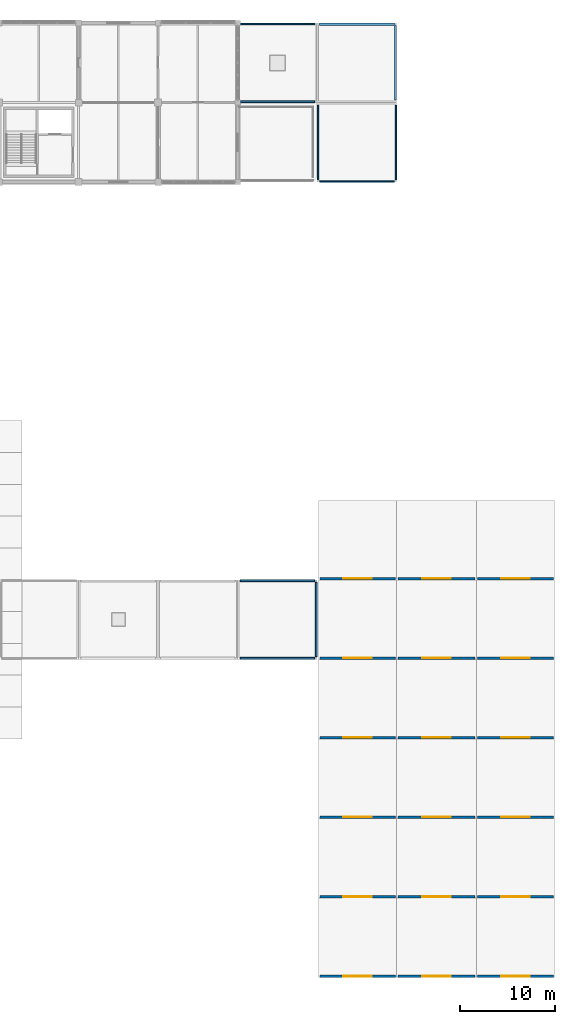
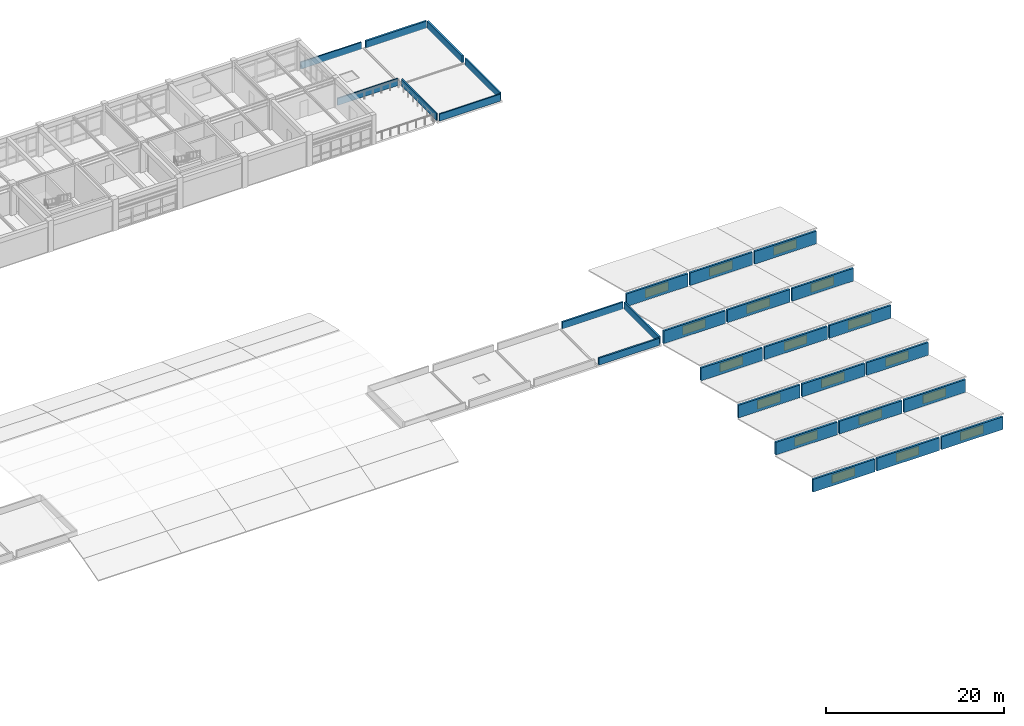
# One storey, part 37 of 40: 28 walls, 18 windows, 18 openings.
"""IFC4 building model written with IfcOpenShell, lengths in metres."""

from ifc_helpers import new_model, si_unit, direction, frame, frame_2d, origin, place, context, subcontext, project, spatial, rectangle, extrude, material, layer, layer_set, type_object, element, fill, save


model = new_model("IFC4")

# Units and contexts
model_context = context("Model", 3, precision=1e-05, world=origin(), true_north=direction((0.0, 1.0)))
body_context = subcontext(model_context, "Body", "Model", "MODEL_VIEW")
ifc_project = project(units=[si_unit("LENGTHUNIT", "METRE"), si_unit("AREAUNIT", "SQUARE_METRE"), si_unit("VOLUMEUNIT", "CUBIC_METRE"), si_unit("PLANEANGLEUNIT", "RADIAN"), si_unit("MASSUNIT", "GRAM", prefix="KILO")], contexts=[model_context])

# Site, building, storey
site_placement = place(None, origin())
site = spatial("IfcSite", under=ifc_project, at=site_placement, CompositionType="ELEMENT")
building_placement = place(site_placement, origin())
building = spatial("IfcBuilding", under=site, at=building_placement, Name="Porcellanite Civic Hall", CompositionType="ELEMENT")
storey_placement = place(building_placement, frame((0.0, 0.0, 19.080078125)))
storey = spatial("IfcBuildingStorey", under=building, at=storey_placement, Name="L04", CompositionType="ELEMENT", Elevation=19.080078125)

# Wall, opening, window
ifc_material_1 = material(Name="Precast concrete N40 (40 MPa)", Category="concrete")
ifc_layer_1 = layer(ifc_material_1, 0.260009765625)
ifc_layer_set_1 = layer_set([ifc_layer_1], Name="Precast concrete N40 (40 MPa)")
wall_type_1 = type_object("IfcWallType", Name="EW-PLT260", PredefinedType="SOLIDWALL", material=ifc_layer_set_1)
wall_1_placement = place(storey_placement, frame((151.072021484375, 16.919921875, 0.0), z_axis=(0.0, 0.0, 1.0), x_axis=(-1.0, 0.0, 0.0)))
wall_1 = element("IfcWall", 1, at=wall_1_placement, inside=storey, type_object=wall_type_1, Name="Library sawtooth clerestory wall 18-3", PredefinedType="SOLIDWALL", context=body_context, shape_type="SweptSolid", body=[
    extrude(rectangle(XDim=8.00390625, YDim=0.260009765625, at=frame_2d((4.001953125, 0.0))), origin(), (0.0, 0.0, 1.0), 1.739990234375),
])
opening_1_placement = place(wall_1_placement, frame((2.501953125, 0.0, 0.25)))
opening_1 = element("IfcOpeningElement", 2, at=opening_1_placement, cuts=wall_1, Name="Opening W09", PredefinedType="OPENING", context=body_context, shape_type="SweptSolid", body=[
    extrude(rectangle(XDim=3.0, YDim=1.199951171875, at=frame_2d((1.5, 0.60009765625))), frame((0.0, 0.1298828125, 0.0), z_axis=(0.0, -1.0, 0.0), x_axis=(1.0, 0.0, 0.0)), (0.0, 0.0, 1.0), 0.260009765625),
])
ifc_material_2 = material(Name="Cyclone laminated low-E glazing in anodised aluminium frame", Category="aluminium")
window_type = type_object("IfcWindowType", Name="WN-09", PartitioningType="TRIPLE_PANEL_HORIZONTAL", PredefinedType="WINDOW", material=ifc_material_2)
window_1_placement = place(opening_1_placement, origin())
window_1 = element("IfcWindow", 3, at=window_1_placement, inside=storey, type_object=window_type, Name="Library sawtooth clerestory window 18-3", OverallHeight=1.199951171875, OverallWidth=3.0, PartitioningType="SINGLE_PANEL", PredefinedType="WINDOW", context=body_context, shape_type="SweptSolid", body=[
    extrude(rectangle(XDim=3.0, YDim=1.199951171875, at=frame_2d((1.5, 0.60009765625))), frame((0.0, 0.030029296875, 0.0), z_axis=(0.0, -1.0, 0.0), x_axis=(1.0, 0.0, 0.0)), (0.0, 0.0, 1.0), 0.06005859375),
])
fill(opening_1, window_1)

wall_2_placement = place(storey_placement, frame((159.471923828125, 16.919921875, 0.0), z_axis=(0.0, 0.0, 1.0), x_axis=(-1.0, 0.0, 0.0)))
wall_2 = element("IfcWall", 4, at=wall_2_placement, inside=storey, type_object=wall_type_1, Name="Library sawtooth clerestory wall 19-3", PredefinedType="SOLIDWALL", context=body_context, shape_type="SweptSolid", body=[
    extrude(rectangle(XDim=8.14404296875, YDim=0.260009765625, at=frame_2d((4.072021484375, 0.0))), origin(), (0.0, 0.0, 1.0), 1.739990234375),
])
opening_2_placement = place(wall_2_placement, frame((2.572021484375, 0.0, 0.25)))
opening_2 = element("IfcOpeningElement", 5, at=opening_2_placement, cuts=wall_2, Name="Opening W09", PredefinedType="OPENING", context=body_context, shape_type="SweptSolid", body=[
    extrude(rectangle(XDim=3.0, YDim=1.199951171875, at=frame_2d((1.5, 0.60009765625))), frame((0.0, 0.1298828125, 0.0), z_axis=(0.0, -1.0, 0.0), x_axis=(1.0, 0.0, 0.0)), (0.0, 0.0, 1.0), 0.260009765625),
])
window_2_placement = place(opening_2_placement, origin())
window_2 = element("IfcWindow", 6, at=window_2_placement, inside=storey, type_object=window_type, Name="Library sawtooth clerestory window 19-3", OverallHeight=1.199951171875, OverallWidth=3.0, PartitioningType="SINGLE_PANEL", PredefinedType="WINDOW", context=body_context, shape_type="SweptSolid", body=[
    extrude(rectangle(XDim=3.0, YDim=1.199951171875, at=frame_2d((1.5, 0.60009765625))), frame((0.0, 0.030029296875, 0.0), z_axis=(0.0, -1.0, 0.0), x_axis=(1.0, 0.0, 0.0)), (0.0, 0.0, 1.0), 0.06005859375),
])
fill(opening_2, window_2)

wall_3_placement = place(storey_placement, frame((167.73193359375, 16.919921875, 0.0), z_axis=(0.0, 0.0, 1.0), x_axis=(-1.0, 0.0, 0.0)))
wall_3 = element("IfcWall", 7, at=wall_3_placement, inside=storey, type_object=wall_type_1, Name="Library sawtooth clerestory wall 20-3", PredefinedType="SOLIDWALL", context=body_context, shape_type="SweptSolid", body=[
    extrude(rectangle(XDim=8.00390625, YDim=0.260009765625, at=frame_2d((4.001953125, 0.0))), origin(), (0.0, 0.0, 1.0), 1.739990234375),
])
opening_3_placement = place(wall_3_placement, frame((2.501953125, 0.0, 0.25)))
opening_3 = element("IfcOpeningElement", 8, at=opening_3_placement, cuts=wall_3, Name="Opening W09", PredefinedType="OPENING", context=body_context, shape_type="SweptSolid", body=[
    extrude(rectangle(XDim=3.0, YDim=1.199951171875, at=frame_2d((1.5, 0.60009765625))), frame((0.0, 0.1298828125, 0.0), z_axis=(0.0, -1.0, 0.0), x_axis=(1.0, 0.0, 0.0)), (0.0, 0.0, 1.0), 0.260009765625),
])
window_3_placement = place(opening_3_placement, origin())
window_3 = element("IfcWindow", 9, at=window_3_placement, inside=storey, type_object=window_type, Name="Library sawtooth clerestory window 20-3", OverallHeight=1.199951171875, OverallWidth=3.0, PartitioningType="SINGLE_PANEL", PredefinedType="WINDOW", context=body_context, shape_type="SweptSolid", body=[
    extrude(rectangle(XDim=3.0, YDim=1.199951171875, at=frame_2d((1.5, 0.60009765625))), frame((0.0, 0.030029296875, 0.0), z_axis=(0.0, -1.0, 0.0), x_axis=(1.0, 0.0, 0.0)), (0.0, 0.0, 1.0), 0.06005859375),
])
fill(opening_3, window_3)

wall_4_placement = place(storey_placement, frame((151.072021484375, 25.320068359375, 0.0), z_axis=(0.0, 0.0, 1.0), x_axis=(-1.0, 0.0, 0.0)))
wall_4 = element("IfcWall", 10, at=wall_4_placement, inside=storey, type_object=wall_type_1, Name="Library sawtooth clerestory wall 18-4", PredefinedType="SOLIDWALL", context=body_context, shape_type="SweptSolid", body=[
    extrude(rectangle(XDim=8.00390625, YDim=0.260009765625, at=frame_2d((4.001953125, 0.0))), origin(), (0.0, 0.0, 1.0), 1.739990234375),
])
opening_4_placement = place(wall_4_placement, frame((2.501953125, 0.0, 0.25)))
opening_4 = element("IfcOpeningElement", 11, at=opening_4_placement, cuts=wall_4, Name="Opening W09", PredefinedType="OPENING", context=body_context, shape_type="SweptSolid", body=[
    extrude(rectangle(XDim=3.0, YDim=1.199951171875, at=frame_2d((1.5, 0.60009765625))), frame((0.0, 0.1298828125, 0.0), z_axis=(0.0, -1.0, 0.0), x_axis=(1.0, 0.0, 0.0)), (0.0, 0.0, 1.0), 0.260009765625),
])
window_4_placement = place(opening_4_placement, origin())
window_4 = element("IfcWindow", 12, at=window_4_placement, inside=storey, type_object=window_type, Name="Library sawtooth clerestory window 18-4", OverallHeight=1.199951171875, OverallWidth=3.0, PartitioningType="SINGLE_PANEL", PredefinedType="WINDOW", context=body_context, shape_type="SweptSolid", body=[
    extrude(rectangle(XDim=3.0, YDim=1.199951171875, at=frame_2d((1.5, 0.60009765625))), frame((0.0, 0.030029296875, 0.0), z_axis=(0.0, -1.0, 0.0), x_axis=(1.0, 0.0, 0.0)), (0.0, 0.0, 1.0), 0.06005859375),
])
fill(opening_4, window_4)

wall_5_placement = place(storey_placement, frame((159.471923828125, 25.320068359375, 0.0), z_axis=(0.0, 0.0, 1.0), x_axis=(-1.0, 0.0, 0.0)))
wall_5 = element("IfcWall", 13, at=wall_5_placement, inside=storey, type_object=wall_type_1, Name="Library sawtooth clerestory wall 19-4", PredefinedType="SOLIDWALL", context=body_context, shape_type="SweptSolid", body=[
    extrude(rectangle(XDim=8.14404296875, YDim=0.260009765625, at=frame_2d((4.072021484375, 0.0))), origin(), (0.0, 0.0, 1.0), 1.739990234375),
])
opening_5_placement = place(wall_5_placement, frame((2.572021484375, 0.0, 0.25)))
opening_5 = element("IfcOpeningElement", 14, at=opening_5_placement, cuts=wall_5, Name="Opening W09", PredefinedType="OPENING", context=body_context, shape_type="SweptSolid", body=[
    extrude(rectangle(XDim=3.0, YDim=1.199951171875, at=frame_2d((1.5, 0.60009765625))), frame((0.0, 0.1298828125, 0.0), z_axis=(0.0, -1.0, 0.0), x_axis=(1.0, 0.0, 0.0)), (0.0, 0.0, 1.0), 0.260009765625),
])
window_5_placement = place(opening_5_placement, origin())
window_5 = element("IfcWindow", 15, at=window_5_placement, inside=storey, type_object=window_type, Name="Library sawtooth clerestory window 19-4", OverallHeight=1.199951171875, OverallWidth=3.0, PartitioningType="SINGLE_PANEL", PredefinedType="WINDOW", context=body_context, shape_type="SweptSolid", body=[
    extrude(rectangle(XDim=3.0, YDim=1.199951171875, at=frame_2d((1.5, 0.60009765625))), frame((0.0, 0.030029296875, 0.0), z_axis=(0.0, -1.0, 0.0), x_axis=(1.0, 0.0, 0.0)), (0.0, 0.0, 1.0), 0.06005859375),
])
fill(opening_5, window_5)

wall_6_placement = place(storey_placement, frame((167.73193359375, 25.320068359375, 0.0), z_axis=(0.0, 0.0, 1.0), x_axis=(-1.0, 0.0, 0.0)))
wall_6 = element("IfcWall", 16, at=wall_6_placement, inside=storey, type_object=wall_type_1, Name="Library sawtooth clerestory wall 20-4", PredefinedType="SOLIDWALL", context=body_context, shape_type="SweptSolid", body=[
    extrude(rectangle(XDim=8.00390625, YDim=0.260009765625, at=frame_2d((4.001953125, 0.0))), origin(), (0.0, 0.0, 1.0), 1.739990234375),
])
opening_6_placement = place(wall_6_placement, frame((2.501953125, 0.0, 0.25)))
opening_6 = element("IfcOpeningElement", 17, at=opening_6_placement, cuts=wall_6, Name="Opening W09", PredefinedType="OPENING", context=body_context, shape_type="SweptSolid", body=[
    extrude(rectangle(XDim=3.0, YDim=1.199951171875, at=frame_2d((1.5, 0.60009765625))), frame((0.0, 0.1298828125, 0.0), z_axis=(0.0, -1.0, 0.0), x_axis=(1.0, 0.0, 0.0)), (0.0, 0.0, 1.0), 0.260009765625),
])
window_6_placement = place(opening_6_placement, origin())
window_6 = element("IfcWindow", 18, at=window_6_placement, inside=storey, type_object=window_type, Name="Library sawtooth clerestory window 20-4", OverallHeight=1.199951171875, OverallWidth=3.0, PartitioningType="SINGLE_PANEL", PredefinedType="WINDOW", context=body_context, shape_type="SweptSolid", body=[
    extrude(rectangle(XDim=3.0, YDim=1.199951171875, at=frame_2d((1.5, 0.60009765625))), frame((0.0, 0.030029296875, 0.0), z_axis=(0.0, -1.0, 0.0), x_axis=(1.0, 0.0, 0.0)), (0.0, 0.0, 1.0), 0.06005859375),
])
fill(opening_6, window_6)

wall_7_placement = place(storey_placement, frame((151.072021484375, 33.719970703125, 0.0), z_axis=(0.0, 0.0, 1.0), x_axis=(-1.0, 0.0, 0.0)))
wall_7 = element("IfcWall", 19, at=wall_7_placement, inside=storey, type_object=wall_type_1, Name="Library sawtooth clerestory wall 18-5", PredefinedType="SOLIDWALL", context=body_context, shape_type="SweptSolid", body=[
    extrude(rectangle(XDim=8.00390625, YDim=0.260009765625, at=frame_2d((4.001953125, 0.0))), origin(), (0.0, 0.0, 1.0), 1.739990234375),
])
opening_7_placement = place(wall_7_placement, frame((2.501953125, 0.0, 0.25)))
opening_7 = element("IfcOpeningElement", 20, at=opening_7_placement, cuts=wall_7, Name="Opening W09", PredefinedType="OPENING", context=body_context, shape_type="SweptSolid", body=[
    extrude(rectangle(XDim=3.0, YDim=1.199951171875, at=frame_2d((1.5, 0.60009765625))), frame((0.0, 0.1298828125, 0.0), z_axis=(0.0, -1.0, 0.0), x_axis=(1.0, 0.0, 0.0)), (0.0, 0.0, 1.0), 0.260009765625),
])
window_7_placement = place(opening_7_placement, origin())
window_7 = element("IfcWindow", 21, at=window_7_placement, inside=storey, type_object=window_type, Name="Library sawtooth clerestory window 18-5", OverallHeight=1.199951171875, OverallWidth=3.0, PartitioningType="SINGLE_PANEL", PredefinedType="WINDOW", context=body_context, shape_type="SweptSolid", body=[
    extrude(rectangle(XDim=3.0, YDim=1.199951171875, at=frame_2d((1.5, 0.60009765625))), frame((0.0, 0.030029296875, 0.0), z_axis=(0.0, -1.0, 0.0), x_axis=(1.0, 0.0, 0.0)), (0.0, 0.0, 1.0), 0.06005859375),
])
fill(opening_7, window_7)

wall_8_placement = place(storey_placement, frame((159.471923828125, 33.719970703125, 0.0), z_axis=(0.0, 0.0, 1.0), x_axis=(-1.0, 0.0, 0.0)))
wall_8 = element("IfcWall", 22, at=wall_8_placement, inside=storey, type_object=wall_type_1, Name="Library sawtooth clerestory wall 19-5", PredefinedType="SOLIDWALL", context=body_context, shape_type="SweptSolid", body=[
    extrude(rectangle(XDim=8.14404296875, YDim=0.260009765625, at=frame_2d((4.072021484375, 0.0))), origin(), (0.0, 0.0, 1.0), 1.739990234375),
])
opening_8_placement = place(wall_8_placement, frame((2.572021484375, 0.0, 0.25)))
opening_8 = element("IfcOpeningElement", 23, at=opening_8_placement, cuts=wall_8, Name="Opening W09", PredefinedType="OPENING", context=body_context, shape_type="SweptSolid", body=[
    extrude(rectangle(XDim=3.0, YDim=1.199951171875, at=frame_2d((1.5, 0.60009765625))), frame((0.0, 0.1298828125, 0.0), z_axis=(0.0, -1.0, 0.0), x_axis=(1.0, 0.0, 0.0)), (0.0, 0.0, 1.0), 0.260009765625),
])
window_8_placement = place(opening_8_placement, origin())
window_8 = element("IfcWindow", 24, at=window_8_placement, inside=storey, type_object=window_type, Name="Library sawtooth clerestory window 19-5", OverallHeight=1.199951171875, OverallWidth=3.0, PartitioningType="SINGLE_PANEL", PredefinedType="WINDOW", context=body_context, shape_type="SweptSolid", body=[
    extrude(rectangle(XDim=3.0, YDim=1.199951171875, at=frame_2d((1.5, 0.60009765625))), frame((0.0, 0.030029296875, 0.0), z_axis=(0.0, -1.0, 0.0), x_axis=(1.0, 0.0, 0.0)), (0.0, 0.0, 1.0), 0.06005859375),
])
fill(opening_8, window_8)

wall_9_placement = place(storey_placement, frame((167.73193359375, 33.719970703125, 0.0), z_axis=(0.0, 0.0, 1.0), x_axis=(-1.0, 0.0, 0.0)))
wall_9 = element("IfcWall", 25, at=wall_9_placement, inside=storey, type_object=wall_type_1, Name="Library sawtooth clerestory wall 20-5", PredefinedType="SOLIDWALL", context=body_context, shape_type="SweptSolid", body=[
    extrude(rectangle(XDim=8.00390625, YDim=0.260009765625, at=frame_2d((4.001953125, 0.0))), origin(), (0.0, 0.0, 1.0), 1.739990234375),
])
opening_9_placement = place(wall_9_placement, frame((2.501953125, 0.0, 0.25)))
opening_9 = element("IfcOpeningElement", 26, at=opening_9_placement, cuts=wall_9, Name="Opening W09", PredefinedType="OPENING", context=body_context, shape_type="SweptSolid", body=[
    extrude(rectangle(XDim=3.0, YDim=1.199951171875, at=frame_2d((1.5, 0.60009765625))), frame((0.0, 0.1298828125, 0.0), z_axis=(0.0, -1.0, 0.0), x_axis=(1.0, 0.0, 0.0)), (0.0, 0.0, 1.0), 0.260009765625),
])
window_9_placement = place(opening_9_placement, origin())
window_9 = element("IfcWindow", 27, at=window_9_placement, inside=storey, type_object=window_type, Name="Library sawtooth clerestory window 20-5", OverallHeight=1.199951171875, OverallWidth=3.0, PartitioningType="SINGLE_PANEL", PredefinedType="WINDOW", context=body_context, shape_type="SweptSolid", body=[
    extrude(rectangle(XDim=3.0, YDim=1.199951171875, at=frame_2d((1.5, 0.60009765625))), frame((0.0, 0.030029296875, 0.0), z_axis=(0.0, -1.0, 0.0), x_axis=(1.0, 0.0, 0.0)), (0.0, 0.0, 1.0), 0.06005859375),
])
fill(opening_9, window_9)

wall_10_placement = place(storey_placement, frame((151.072021484375, 42.1201171875, 0.0), z_axis=(0.0, 0.0, 1.0), x_axis=(-1.0, 0.0, 0.0)))
wall_10 = element("IfcWall", 28, at=wall_10_placement, inside=storey, type_object=wall_type_1, Name="Library sawtooth clerestory wall 18-6", PredefinedType="SOLIDWALL", context=body_context, shape_type="SweptSolid", body=[
    extrude(rectangle(XDim=8.00390625, YDim=0.260009765625, at=frame_2d((4.001953125, 0.0))), origin(), (0.0, 0.0, 1.0), 1.739990234375),
])
opening_10_placement = place(wall_10_placement, frame((2.501953125, 0.0, 0.25)))
opening_10 = element("IfcOpeningElement", 29, at=opening_10_placement, cuts=wall_10, Name="Opening W09", PredefinedType="OPENING", context=body_context, shape_type="SweptSolid", body=[
    extrude(rectangle(XDim=3.0, YDim=1.199951171875, at=frame_2d((1.5, 0.60009765625))), frame((0.0, 0.1298828125, 0.0), z_axis=(0.0, -1.0, 0.0), x_axis=(1.0, 0.0, 0.0)), (0.0, 0.0, 1.0), 0.260009765625),
])
window_10_placement = place(opening_10_placement, origin())
window_10 = element("IfcWindow", 30, at=window_10_placement, inside=storey, type_object=window_type, Name="Library sawtooth clerestory window 18-6", OverallHeight=1.199951171875, OverallWidth=3.0, PartitioningType="SINGLE_PANEL", PredefinedType="WINDOW", context=body_context, shape_type="SweptSolid", body=[
    extrude(rectangle(XDim=3.0, YDim=1.199951171875, at=frame_2d((1.5, 0.60009765625))), frame((0.0, 0.030029296875, 0.0), z_axis=(0.0, -1.0, 0.0), x_axis=(1.0, 0.0, 0.0)), (0.0, 0.0, 1.0), 0.06005859375),
])
fill(opening_10, window_10)

wall_11_placement = place(storey_placement, frame((159.471923828125, 42.1201171875, 0.0), z_axis=(0.0, 0.0, 1.0), x_axis=(-1.0, 0.0, 0.0)))
wall_11 = element("IfcWall", 31, at=wall_11_placement, inside=storey, type_object=wall_type_1, Name="Library sawtooth clerestory wall 19-6", PredefinedType="SOLIDWALL", context=body_context, shape_type="SweptSolid", body=[
    extrude(rectangle(XDim=8.14404296875, YDim=0.260009765625, at=frame_2d((4.072021484375, 0.0))), origin(), (0.0, 0.0, 1.0), 1.739990234375),
])
opening_11_placement = place(wall_11_placement, frame((2.572021484375, 0.0, 0.25)))
opening_11 = element("IfcOpeningElement", 32, at=opening_11_placement, cuts=wall_11, Name="Opening W09", PredefinedType="OPENING", context=body_context, shape_type="SweptSolid", body=[
    extrude(rectangle(XDim=3.0, YDim=1.199951171875, at=frame_2d((1.5, 0.60009765625))), frame((0.0, 0.1298828125, 0.0), z_axis=(0.0, -1.0, 0.0), x_axis=(1.0, 0.0, 0.0)), (0.0, 0.0, 1.0), 0.260009765625),
])
window_11_placement = place(opening_11_placement, origin())
window_11 = element("IfcWindow", 33, at=window_11_placement, inside=storey, type_object=window_type, Name="Library sawtooth clerestory window 19-6", OverallHeight=1.199951171875, OverallWidth=3.0, PartitioningType="SINGLE_PANEL", PredefinedType="WINDOW", context=body_context, shape_type="SweptSolid", body=[
    extrude(rectangle(XDim=3.0, YDim=1.199951171875, at=frame_2d((1.5, 0.60009765625))), frame((0.0, 0.030029296875, 0.0), z_axis=(0.0, -1.0, 0.0), x_axis=(1.0, 0.0, 0.0)), (0.0, 0.0, 1.0), 0.06005859375),
])
fill(opening_11, window_11)

wall_12_placement = place(storey_placement, frame((167.73193359375, 42.1201171875, 0.0), z_axis=(0.0, 0.0, 1.0), x_axis=(-1.0, 0.0, 0.0)))
wall_12 = element("IfcWall", 34, at=wall_12_placement, inside=storey, type_object=wall_type_1, Name="Library sawtooth clerestory wall 20-6", PredefinedType="SOLIDWALL", context=body_context, shape_type="SweptSolid", body=[
    extrude(rectangle(XDim=8.00390625, YDim=0.260009765625, at=frame_2d((4.001953125, 0.0))), origin(), (0.0, 0.0, 1.0), 1.739990234375),
])
opening_12_placement = place(wall_12_placement, frame((2.501953125, 0.0, 0.25)))
opening_12 = element("IfcOpeningElement", 35, at=opening_12_placement, cuts=wall_12, Name="Opening W09", PredefinedType="OPENING", context=body_context, shape_type="SweptSolid", body=[
    extrude(rectangle(XDim=3.0, YDim=1.199951171875, at=frame_2d((1.5, 0.60009765625))), frame((0.0, 0.1298828125, 0.0), z_axis=(0.0, -1.0, 0.0), x_axis=(1.0, 0.0, 0.0)), (0.0, 0.0, 1.0), 0.260009765625),
])
window_12_placement = place(opening_12_placement, origin())
window_12 = element("IfcWindow", 36, at=window_12_placement, inside=storey, type_object=window_type, Name="Library sawtooth clerestory window 20-6", OverallHeight=1.199951171875, OverallWidth=3.0, PartitioningType="SINGLE_PANEL", PredefinedType="WINDOW", context=body_context, shape_type="SweptSolid", body=[
    extrude(rectangle(XDim=3.0, YDim=1.199951171875, at=frame_2d((1.5, 0.60009765625))), frame((0.0, 0.030029296875, 0.0), z_axis=(0.0, -1.0, 0.0), x_axis=(1.0, 0.0, 0.0)), (0.0, 0.0, 1.0), 0.06005859375),
])
fill(opening_12, window_12)

wall_13_placement = place(storey_placement, frame((151.072021484375, 50.52001953125, 0.0), z_axis=(0.0, 0.0, 1.0), x_axis=(-1.0, 0.0, 0.0)))
wall_13 = element("IfcWall", 37, at=wall_13_placement, inside=storey, type_object=wall_type_1, Name="Library sawtooth clerestory wall 18-7", PredefinedType="SOLIDWALL", context=body_context, shape_type="SweptSolid", body=[
    extrude(rectangle(XDim=8.00390625, YDim=0.260009765625, at=frame_2d((4.001953125, 0.0))), origin(), (0.0, 0.0, 1.0), 1.739990234375),
])
opening_13_placement = place(wall_13_placement, frame((2.501953125, 0.0, 0.25)))
opening_13 = element("IfcOpeningElement", 38, at=opening_13_placement, cuts=wall_13, Name="Opening W09", PredefinedType="OPENING", context=body_context, shape_type="SweptSolid", body=[
    extrude(rectangle(XDim=3.0, YDim=1.199951171875, at=frame_2d((1.5, 0.60009765625))), frame((0.0, 0.1298828125, 0.0), z_axis=(0.0, -1.0, 0.0), x_axis=(1.0, 0.0, 0.0)), (0.0, 0.0, 1.0), 0.260009765625),
])
window_13_placement = place(opening_13_placement, origin())
window_13 = element("IfcWindow", 39, at=window_13_placement, inside=storey, type_object=window_type, Name="Library sawtooth clerestory window 18-7", OverallHeight=1.199951171875, OverallWidth=3.0, PartitioningType="SINGLE_PANEL", PredefinedType="WINDOW", context=body_context, shape_type="SweptSolid", body=[
    extrude(rectangle(XDim=3.0, YDim=1.199951171875, at=frame_2d((1.5, 0.60009765625))), frame((0.0, 0.030029296875, 0.0), z_axis=(0.0, -1.0, 0.0), x_axis=(1.0, 0.0, 0.0)), (0.0, 0.0, 1.0), 0.06005859375),
])
fill(opening_13, window_13)

wall_14_placement = place(storey_placement, frame((159.471923828125, 50.52001953125, 0.0), z_axis=(0.0, 0.0, 1.0), x_axis=(-1.0, 0.0, 0.0)))
wall_14 = element("IfcWall", 40, at=wall_14_placement, inside=storey, type_object=wall_type_1, Name="Library sawtooth clerestory wall 19-7", PredefinedType="SOLIDWALL", context=body_context, shape_type="SweptSolid", body=[
    extrude(rectangle(XDim=8.14404296875, YDim=0.260009765625, at=frame_2d((4.072021484375, 0.0))), origin(), (0.0, 0.0, 1.0), 1.739990234375),
])
opening_14_placement = place(wall_14_placement, frame((2.572021484375, 0.0, 0.25)))
opening_14 = element("IfcOpeningElement", 41, at=opening_14_placement, cuts=wall_14, Name="Opening W09", PredefinedType="OPENING", context=body_context, shape_type="SweptSolid", body=[
    extrude(rectangle(XDim=3.0, YDim=1.199951171875, at=frame_2d((1.5, 0.60009765625))), frame((0.0, 0.1298828125, 0.0), z_axis=(0.0, -1.0, 0.0), x_axis=(1.0, 0.0, 0.0)), (0.0, 0.0, 1.0), 0.260009765625),
])
window_14_placement = place(opening_14_placement, origin())
window_14 = element("IfcWindow", 42, at=window_14_placement, inside=storey, type_object=window_type, Name="Library sawtooth clerestory window 19-7", OverallHeight=1.199951171875, OverallWidth=3.0, PartitioningType="SINGLE_PANEL", PredefinedType="WINDOW", context=body_context, shape_type="SweptSolid", body=[
    extrude(rectangle(XDim=3.0, YDim=1.199951171875, at=frame_2d((1.5, 0.60009765625))), frame((0.0, 0.030029296875, 0.0), z_axis=(0.0, -1.0, 0.0), x_axis=(1.0, 0.0, 0.0)), (0.0, 0.0, 1.0), 0.06005859375),
])
fill(opening_14, window_14)

wall_15_placement = place(storey_placement, frame((167.73193359375, 50.52001953125, 0.0), z_axis=(0.0, 0.0, 1.0), x_axis=(-1.0, 0.0, 0.0)))
wall_15 = element("IfcWall", 43, at=wall_15_placement, inside=storey, type_object=wall_type_1, Name="Library sawtooth clerestory wall 20-7", PredefinedType="SOLIDWALL", context=body_context, shape_type="SweptSolid", body=[
    extrude(rectangle(XDim=8.00390625, YDim=0.260009765625, at=frame_2d((4.001953125, 0.0))), origin(), (0.0, 0.0, 1.0), 1.739990234375),
])
opening_15_placement = place(wall_15_placement, frame((2.501953125, 0.0, 0.25)))
opening_15 = element("IfcOpeningElement", 44, at=opening_15_placement, cuts=wall_15, Name="Opening W09", PredefinedType="OPENING", context=body_context, shape_type="SweptSolid", body=[
    extrude(rectangle(XDim=3.0, YDim=1.199951171875, at=frame_2d((1.5, 0.60009765625))), frame((0.0, 0.1298828125, 0.0), z_axis=(0.0, -1.0, 0.0), x_axis=(1.0, 0.0, 0.0)), (0.0, 0.0, 1.0), 0.260009765625),
])
window_15_placement = place(opening_15_placement, origin())
window_15 = element("IfcWindow", 45, at=window_15_placement, inside=storey, type_object=window_type, Name="Library sawtooth clerestory window 20-7", OverallHeight=1.199951171875, OverallWidth=3.0, PartitioningType="SINGLE_PANEL", PredefinedType="WINDOW", context=body_context, shape_type="SweptSolid", body=[
    extrude(rectangle(XDim=3.0, YDim=1.199951171875, at=frame_2d((1.5, 0.60009765625))), frame((0.0, 0.030029296875, 0.0), z_axis=(0.0, -1.0, 0.0), x_axis=(1.0, 0.0, 0.0)), (0.0, 0.0, 1.0), 0.06005859375),
])
fill(opening_15, window_15)

wall_16_placement = place(storey_placement, frame((151.072021484375, 58.919921875, 0.0), z_axis=(0.0, 0.0, 1.0), x_axis=(-1.0, 0.0, 0.0)))
wall_16 = element("IfcWall", 46, at=wall_16_placement, inside=storey, type_object=wall_type_1, Name="Library sawtooth clerestory wall 18-8", PredefinedType="SOLIDWALL", context=body_context, shape_type="SweptSolid", body=[
    extrude(rectangle(XDim=8.00390625, YDim=0.260009765625, at=frame_2d((4.001953125, 0.0))), origin(), (0.0, 0.0, 1.0), 1.739990234375),
])
opening_16_placement = place(wall_16_placement, frame((2.501953125, 0.0, 0.25)))
opening_16 = element("IfcOpeningElement", 47, at=opening_16_placement, cuts=wall_16, Name="Opening W09", PredefinedType="OPENING", context=body_context, shape_type="SweptSolid", body=[
    extrude(rectangle(XDim=3.0, YDim=1.199951171875, at=frame_2d((1.5, 0.60009765625))), frame((0.0, 0.1298828125, 0.0), z_axis=(0.0, -1.0, 0.0), x_axis=(1.0, 0.0, 0.0)), (0.0, 0.0, 1.0), 0.260009765625),
])
window_16_placement = place(opening_16_placement, origin())
window_16 = element("IfcWindow", 48, at=window_16_placement, inside=storey, type_object=window_type, Name="Library sawtooth clerestory window 18-8", OverallHeight=1.199951171875, OverallWidth=3.0, PartitioningType="SINGLE_PANEL", PredefinedType="WINDOW", context=body_context, shape_type="SweptSolid", body=[
    extrude(rectangle(XDim=3.0, YDim=1.199951171875, at=frame_2d((1.5, 0.60009765625))), frame((0.0, 0.030029296875, 0.0), z_axis=(0.0, -1.0, 0.0), x_axis=(1.0, 0.0, 0.0)), (0.0, 0.0, 1.0), 0.06005859375),
])
fill(opening_16, window_16)

wall_17_placement = place(storey_placement, frame((159.471923828125, 58.919921875, 0.0), z_axis=(0.0, 0.0, 1.0), x_axis=(-1.0, 0.0, 0.0)))
wall_17 = element("IfcWall", 49, at=wall_17_placement, inside=storey, type_object=wall_type_1, Name="Library sawtooth clerestory wall 19-8", PredefinedType="SOLIDWALL", context=body_context, shape_type="SweptSolid", body=[
    extrude(rectangle(XDim=8.14404296875, YDim=0.260009765625, at=frame_2d((4.072021484375, 0.0))), origin(), (0.0, 0.0, 1.0), 1.739990234375),
])
opening_17_placement = place(wall_17_placement, frame((2.572021484375, 0.0, 0.25)))
opening_17 = element("IfcOpeningElement", 50, at=opening_17_placement, cuts=wall_17, Name="Opening W09", PredefinedType="OPENING", context=body_context, shape_type="SweptSolid", body=[
    extrude(rectangle(XDim=3.0, YDim=1.199951171875, at=frame_2d((1.5, 0.60009765625))), frame((0.0, 0.1298828125, 0.0), z_axis=(0.0, -1.0, 0.0), x_axis=(1.0, 0.0, 0.0)), (0.0, 0.0, 1.0), 0.260009765625),
])
window_17_placement = place(opening_17_placement, origin())
window_17 = element("IfcWindow", 51, at=window_17_placement, inside=storey, type_object=window_type, Name="Library sawtooth clerestory window 19-8", OverallHeight=1.199951171875, OverallWidth=3.0, PartitioningType="SINGLE_PANEL", PredefinedType="WINDOW", context=body_context, shape_type="SweptSolid", body=[
    extrude(rectangle(XDim=3.0, YDim=1.199951171875, at=frame_2d((1.5, 0.60009765625))), frame((0.0, 0.030029296875, 0.0), z_axis=(0.0, -1.0, 0.0), x_axis=(1.0, 0.0, 0.0)), (0.0, 0.0, 1.0), 0.06005859375),
])
fill(opening_17, window_17)

wall_18_placement = place(storey_placement, frame((167.73193359375, 58.919921875, 0.0), z_axis=(0.0, 0.0, 1.0), x_axis=(-1.0, 0.0, 0.0)))
wall_18 = element("IfcWall", 52, at=wall_18_placement, inside=storey, type_object=wall_type_1, Name="Library sawtooth clerestory wall 20-8", PredefinedType="SOLIDWALL", context=body_context, shape_type="SweptSolid", body=[
    extrude(rectangle(XDim=8.00390625, YDim=0.260009765625, at=frame_2d((4.001953125, 0.0))), origin(), (0.0, 0.0, 1.0), 1.739990234375),
])
opening_18_placement = place(wall_18_placement, frame((2.501953125, 0.0, 0.25)))
opening_18 = element("IfcOpeningElement", 53, at=opening_18_placement, cuts=wall_18, Name="Opening W09", PredefinedType="OPENING", context=body_context, shape_type="SweptSolid", body=[
    extrude(rectangle(XDim=3.0, YDim=1.199951171875, at=frame_2d((1.5, 0.60009765625))), frame((0.0, 0.1298828125, 0.0), z_axis=(0.0, -1.0, 0.0), x_axis=(1.0, 0.0, 0.0)), (0.0, 0.0, 1.0), 0.260009765625),
])
window_18_placement = place(opening_18_placement, origin())
window_18 = element("IfcWindow", 54, at=window_18_placement, inside=storey, type_object=window_type, Name="Library sawtooth clerestory window 20-8", OverallHeight=1.199951171875, OverallWidth=3.0, PartitioningType="SINGLE_PANEL", PredefinedType="WINDOW", context=body_context, shape_type="SweptSolid", body=[
    extrude(rectangle(XDim=3.0, YDim=1.199951171875, at=frame_2d((1.5, 0.60009765625))), frame((0.0, 0.030029296875, 0.0), z_axis=(0.0, -1.0, 0.0), x_axis=(1.0, 0.0, 0.0)), (0.0, 0.0, 1.0), 0.06005859375),
])
fill(opening_18, window_18)

# Walls
ifc_material_3 = material(Name="Precast concrete N40 (40 MPa)", Category="concrete")
ifc_layer_2 = layer(ifc_material_3, 0.25)
ifc_layer_set_2 = layer_set([ifc_layer_2], Name="Precast concrete N40 (40 MPa)")
wall_type_2 = type_object("IfcWallType", Name="WP-PAR1", PredefinedType="PARAPET", material=ifc_layer_set_2)
wall_19_placement = place(storey_placement, frame((143.06005859375, 117.47509765625, 0.0), z_axis=(0.0, 0.0, 1.0), x_axis=(1.0, 0.0, 0.0)))
element("IfcWall", 55, at=wall_19_placement, inside=storey, type_object=wall_type_2, Name="Roof parapet L04 N 18-14", PredefinedType="PARAPET", context=body_context, shape_type="SweptSolid", body=[
    extrude(rectangle(XDim=7.8798828125, YDim=0.25, at=frame_2d((3.93994140625, 0.0))), origin(), (0.0, 0.0, 1.0), 0.949951171875),
])
wall_20_placement = place(storey_placement, frame((151.074951171875, 117.340087890625, 0.0), z_axis=(0.0, 0.0, 1.0), x_axis=(0.0, -1.0, 0.0)))
element("IfcWall", 56, at=wall_20_placement, inside=storey, type_object=wall_type_2, Name="Roof parapet L04 E 18-14", PredefinedType="PARAPET", context=body_context, shape_type="SweptSolid", body=[
    extrude(rectangle(XDim=7.880126953125, YDim=0.25, at=frame_2d((3.93994140625, 0.0))), origin(), (0.0, 0.0, 1.0), 0.949951171875),
])
ifc_material_4 = material(Name="Precast concrete N40 (40 MPa)", Category="concrete")
ifc_layer_3 = layer(ifc_material_4, 0.2099609375)
ifc_layer_set_3 = layer_set([ifc_layer_3], Name="Precast concrete N40 (40 MPa)")
wall_type_3 = type_object("IfcWallType", Name="WP-PAR3", PredefinedType="PARAPET", material=ifc_layer_set_3)
for number, where, z_axis, x_axis, name in (
    (57, (142.5400390625, 50.5048828125, 0.0), (0.0, 0.0, 1.0), (-1.0, 0.0, 0.0), "Roof parapet L04 S 17-7"),
    (58, (134.659912109375, 58.695068359375, 0.0), (0.0, 0.0, 1.0), (1.0, 0.0, 0.0), "Roof parapet L04 N 17-7"),
    (59, (142.695068359375, 58.5400390625, 0.0), (0.0, 0.0, 1.0), (0.0, -1.0, 0.0), "Roof parapet L04 E 17-7"),
):
    element("IfcWall", number, at=place(storey_placement, frame(where, z_axis=z_axis, x_axis=x_axis)), inside=storey, type_object=wall_type_3, Name=name, PredefinedType="PARAPET", context=body_context, shape_type="SweptSolid", body=[
        extrude(rectangle(XDim=7.880126953125, YDim=0.2099609375, at=frame_2d((3.93994140625, 0.0))), origin(), (0.0, 0.0, 1.0), 0.949951171875),
    ])
ifc_material_5 = material(Name="Precast concrete N40 (40 MPa)", Category="concrete")
ifc_layer_4 = layer(ifc_material_5, 0.169921875)
ifc_layer_set_4 = layer_set([ifc_layer_4], Name="Precast concrete N40 (40 MPa)")
wall_type_4 = type_object("IfcWallType", Name="WP-PAR5", PredefinedType="PARAPET", material=ifc_layer_set_4)
for number, where, z_axis, x_axis, name in (
    (60, (142.5400390625, 109.284912109375, 0.0), (0.0, 0.0, 1.0), (-1.0, 0.0, 0.0), "Roof parapet L04 S 17-14"),
    (61, (134.659912109375, 117.514892578125, 0.0), (0.0, 0.0, 1.0), (1.0, 0.0, 0.0), "Roof parapet L04 N 17-14"),
):
    element("IfcWall", number, at=place(storey_placement, frame(where, z_axis=z_axis, x_axis=x_axis)), inside=storey, type_object=wall_type_4, Name=name, PredefinedType="PARAPET", context=body_context, shape_type="SweptSolid", body=[
        extrude(rectangle(XDim=7.880126953125, YDim=0.169921875, at=frame_2d((3.93994140625, 0.0))), origin(), (0.0, 0.0, 1.0), 0.949951171875),
    ])
for number, where, z_axis, x_axis, name in (
    (62, (150.93994140625, 100.885009765625, 0.0), (0.0, 0.0, 1.0), (-1.0, 0.0, 0.0), "Roof parapet L04 S 18-13"),
    (63, (142.885009765625, 101.06005859375, 0.0), (0.0, 0.0, 1.0), (0.0, 1.0, 0.0), "Roof parapet L04 W 18-13"),
    (64, (151.114990234375, 108.93994140625, 0.0), (0.0, 0.0, 1.0), (0.0, -1.0, 0.0), "Roof parapet L04 E 18-13"),
):
    element("IfcWall", number, at=place(storey_placement, frame(where, z_axis=z_axis, x_axis=x_axis)), inside=storey, type_object=wall_type_4, Name=name, PredefinedType="PARAPET", context=body_context, shape_type="SweptSolid", body=[
        extrude(rectangle(XDim=7.8798828125, YDim=0.169921875, at=frame_2d((3.93994140625, 0.0))), origin(), (0.0, 0.0, 1.0), 0.949951171875),
    ])

save(model, "model.ifc")
